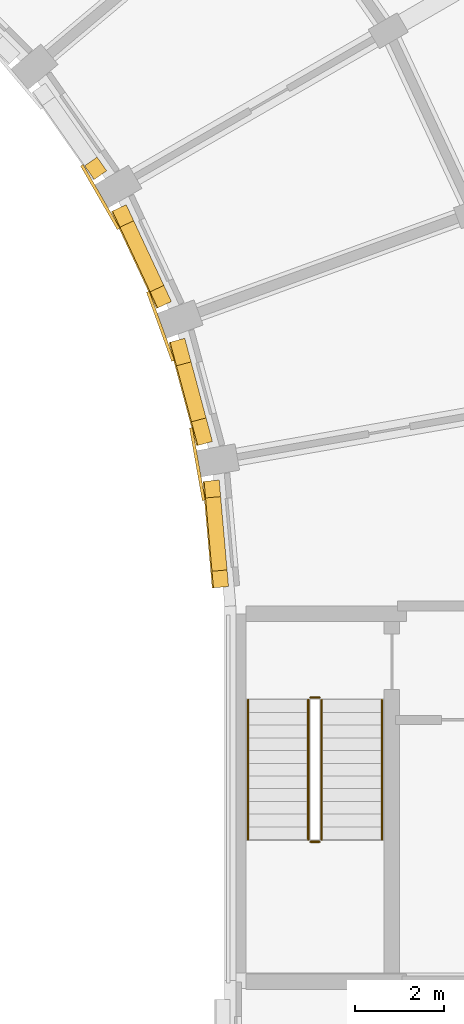
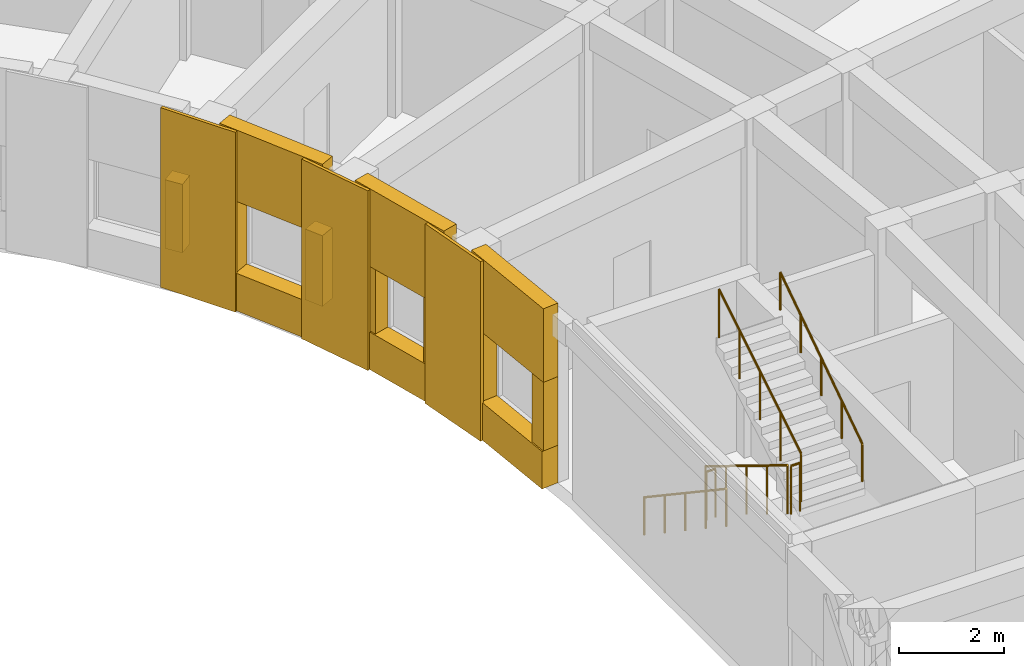
# One storey, part 95 of 97: 16 coverings, 6 railings.
"""IFC4 building model written with IfcOpenShell, lengths in metres."""

from ifc_helpers import new_model, si_unit, direction, frame, origin, origin_2d, place, context, subcontext, project, spatial, polyline, circle, outline, extrude, material, layer, layer_set, type_object, element, save


model = new_model("IFC4")

# Units and contexts
model_context = context("Model", 3, precision=1e-05, world=origin(), true_north=direction((0.0, 1.0)))
body_context = subcontext(model_context, "Body", "Model", "MODEL_VIEW")
ifc_project = project(units=[si_unit("LENGTHUNIT", "METRE"), si_unit("AREAUNIT", "SQUARE_METRE"), si_unit("VOLUMEUNIT", "CUBIC_METRE"), si_unit("PLANEANGLEUNIT", "RADIAN"), si_unit("MASSUNIT", "GRAM", prefix="KILO")], contexts=[model_context])

# Site, building, storey
site_placement = place(None, origin())
site = spatial("IfcSite", under=ifc_project, at=site_placement, CompositionType="ELEMENT")
building_placement = place(site_placement, origin())
building = spatial("IfcBuilding", under=site, at=building_placement, Name="Kiranvali Square Residences", CompositionType="ELEMENT")
storey_placement = place(building_placement, frame((0.0, 0.0, 4.5)))
storey = spatial("IfcBuildingStorey", under=building, at=storey_placement, Name="L01", CompositionType="ELEMENT", Elevation=4.5)

# Coverings
ifc_material_1 = material(Name="Honed Porbandar limestone ashlar facade cladding", Category="masonry")
ifc_layer_1 = layer(ifc_material_1, 0.3798828125)
ifc_layer_set_1 = layer_set([ifc_layer_1], Name="Honed Porbandar limestone ashlar facade cladding")
covering_type_1 = type_object("IfcCoveringType", Name="COV-CLAD-JAMB", PredefinedType="CLADDING", material=ifc_layer_set_1)
covering_1_placement = place(storey_placement, frame((0.0, 0.0, 0.8798828125)))
element("IfcCovering", 1, at=covering_1_placement, inside=storey, type_object=covering_type_1, Name="L01 deep limestone window jamb reveal B-L01-GDN-05.R", PredefinedType="CLADDING", context=body_context, shape_type="SweptSolid", body=[
    extrude(outline(polyline([(135.336181640625, 97.67138671875), (135.55029296875, 97.365478515625), (135.828369140625, 97.56005859375), (135.6142578125, 97.8662109375), (135.336181640625, 97.67138671875)])), origin(), (0.0, 0.0, 1.0), 1.60009765625),
])
covering_2_placement = place(storey_placement, frame((0.0, 0.0, 0.8798828125)))
element("IfcCovering", 2, at=covering_2_placement, inside=storey, type_object=covering_type_1, Name="L01 deep limestone window jamb reveal B-L01-GDN-06.L", PredefinedType="CLADDING", context=body_context, shape_type="SweptSolid", body=[
    extrude(outline(polyline([(135.958984375, 96.657470703125), (136.12744140625, 96.29638671875), (136.435302734375, 96.43994140625), (136.266845703125, 96.801025390625), (135.958984375, 96.657470703125)])), origin(), (0.0, 0.0, 1.0), 1.650146484375),
])
covering_3_placement = place(storey_placement, frame((0.0, 0.0, 0.8798828125)))
element("IfcCovering", 3, at=covering_3_placement, inside=storey, type_object=covering_type_1, Name="L01 deep limestone window jamb reveal B-L01-GDN-06.R", PredefinedType="CLADDING", context=body_context, shape_type="SweptSolid", body=[
    extrude(outline(polyline([(136.8037109375, 94.84619140625), (136.97216796875, 94.485107421875), (137.27978515625, 94.62841796875), (137.111328125, 94.98974609375), (136.8037109375, 94.84619140625)])), origin(), (0.0, 0.0, 1.0), 1.650146484375),
])
covering_4_placement = place(storey_placement, frame((0.0, 0.0, 0.8798828125)))
element("IfcCovering", 4, at=covering_4_placement, inside=storey, type_object=covering_type_1, Name="L01 deep limestone window jamb reveal B-L01-GDN-07.L", PredefinedType="CLADDING", context=body_context, shape_type="SweptSolid", body=[
    extrude(outline(polyline([(137.251708984375, 93.717041015625), (137.3935546875, 93.187255859375), (137.7216796875, 93.27490234375), (137.57958984375, 93.804931640625), (137.251708984375, 93.717041015625)])), origin(), (0.0, 0.0, 1.0), 1.5),
])
covering_5_placement = place(storey_placement, frame((0.0, 0.0, 0.8798828125)))
element("IfcCovering", 5, at=covering_5_placement, inside=storey, type_object=covering_type_1, Name="L01 deep limestone window jamb reveal B-L01-GDN-07.R", PredefinedType="CLADDING", context=body_context, shape_type="SweptSolid", body=[
    extrude(outline(polyline([(137.730224609375, 91.931396484375), (137.8720703125, 91.401611328125), (138.199951171875, 91.489501953125), (138.05810546875, 92.019287109375), (137.730224609375, 91.931396484375)])), origin(), (0.0, 0.0, 1.0), 1.5),
])
covering_6_placement = place(storey_placement, frame((0.0, 0.0, 0.8798828125)))
element("IfcCovering", 6, at=covering_6_placement, inside=storey, type_object=covering_type_1, Name="L01 deep limestone window jamb reveal B-L01-GDN-08.L", PredefinedType="CLADDING", context=body_context, shape_type="SweptSolid", body=[
    extrude(outline(polyline([(138.013916015625, 90.5966796875), (138.046630859375, 90.224609375), (138.384765625, 90.254150390625), (138.352294921875, 90.626220703125), (138.013916015625, 90.5966796875)])), origin(), (0.0, 0.0, 1.0), 1.60009765625),
])
covering_7_placement = place(storey_placement, frame((0.0, 0.0, 0.8798828125)))
element("IfcCovering", 7, at=covering_7_placement, inside=storey, type_object=covering_type_1, Name="L01 deep limestone window jamb reveal B-L01-GDN-08.R", PredefinedType="CLADDING", context=body_context, shape_type="SweptSolid", body=[
    extrude(outline(polyline([(138.1904296875, 88.580810546875), (138.222900390625, 88.208740234375), (138.56103515625, 88.23828125), (138.528564453125, 88.6103515625), (138.1904296875, 88.580810546875)])), origin(), (0.0, 0.0, 1.0), 1.60009765625),
])
ifc_layer_2 = layer(ifc_material_1, 0.050048828125)
ifc_layer_set_2 = layer_set([ifc_layer_2], Name="Honed Porbandar limestone ashlar facade cladding")
covering_type_2 = type_object("IfcCoveringType", Name="COV-CLAD-PIER-IN", PredefinedType="CLADDING", material=ifc_layer_set_2)
covering_8_placement = place(storey_placement, frame((0.0, 0.0, 0.0048828125)))
element("IfcCovering", 8, at=covering_8_placement, inside=storey, type_object=covering_type_2, Name="L01 Classical garden courtyard pilaster CLAD-PRIN-B-L01-A06", PredefinedType="CLADDING", context=body_context, shape_type="SweptSolid", body=[
    extrude(outline(polyline([(135.241943359375, 97.66796875), (136.06689453125, 96.239013671875), (136.125244140625, 96.272705078125), (135.30029296875, 97.70166015625), (135.241943359375, 97.66796875)])), origin(), (0.0, 0.0, 1.0), 4.190185546875),
])
covering_9_placement = place(storey_placement, frame((0.0, 0.0, 0.0048828125)))
element("IfcCovering", 9, at=covering_9_placement, inside=storey, type_object=covering_type_2, Name="L01 Classical garden courtyard pilaster CLAD-PRIN-B-L01-A07", PredefinedType="CLADDING", context=body_context, shape_type="SweptSolid", body=[
    extrude(outline(polyline([(136.720703125, 94.836669921875), (137.28515625, 93.2861328125), (137.3486328125, 93.30908203125), (136.7841796875, 94.859619140625), (136.720703125, 94.836669921875)])), origin(), (0.0, 0.0, 1.0), 4.190185546875),
])
covering_10_placement = place(storey_placement, frame((0.0, 0.0, 0.0048828125)))
element("IfcCovering", 10, at=covering_10_placement, inside=storey, type_object=covering_type_2, Name="L01 Classical garden courtyard pilaster CLAD-PRIN-B-L01-A08", PredefinedType="CLADDING", context=body_context, shape_type="SweptSolid", body=[
    extrude(outline(polyline([(137.685546875, 91.79150390625), (137.97216796875, 90.16650390625), (138.03857421875, 90.17822265625), (137.752197265625, 91.80322265625), (137.685546875, 91.79150390625)])), origin(), (0.0, 0.0, 1.0), 4.190185546875),
])
ifc_layer_3 = layer(ifc_material_1, 0.360107421875)
ifc_layer_set_3 = layer_set([ifc_layer_3], Name="Honed Porbandar limestone ashlar facade cladding")
covering_type_3 = type_object("IfcCoveringType", Name="COV-CLAD-WALL", PredefinedType="CLADDING", material=ifc_layer_set_3)
covering_11_placement = place(storey_placement, frame((0.0, 0.0, 2.530029296875)))
element("IfcCovering", 11, at=covering_11_placement, inside=storey, type_object=covering_type_3, Name="L01 light limestone spandrel lintel B-L01-GDN-06", PredefinedType="CLADDING", context=body_context, shape_type="SweptSolid", body=[
    extrude(outline(polyline([(135.958984375, 96.657470703125), (136.97216796875, 94.485107421875), (137.27978515625, 94.62841796875), (136.266845703125, 96.801025390625), (135.958984375, 96.657470703125)])), origin(), (0.0, 0.0, 1.0), 1.6650390625),
])
covering_12_placement = place(storey_placement, frame((0.0, 0.0, 2.3798828125)))
element("IfcCovering", 12, at=covering_12_placement, inside=storey, type_object=covering_type_3, Name="L01 light limestone spandrel lintel B-L01-GDN-07", PredefinedType="CLADDING", context=body_context, shape_type="SweptSolid", body=[
    extrude(outline(polyline([(137.251708984375, 93.717041015625), (137.8720703125, 91.401611328125), (138.199951171875, 91.489501953125), (137.57958984375, 93.804931640625), (137.251708984375, 93.717041015625)])), origin(), (0.0, 0.0, 1.0), 1.815185546875),
])
covering_13_placement = place(storey_placement, frame((0.0, 0.0, 2.47998046875)))
element("IfcCovering", 13, at=covering_13_placement, inside=storey, type_object=covering_type_3, Name="L01 light limestone spandrel lintel B-L01-GDN-08", PredefinedType="CLADDING", context=body_context, shape_type="SweptSolid", body=[
    extrude(outline(polyline([(138.013916015625, 90.5966796875), (138.222900390625, 88.208740234375), (138.56103515625, 88.23828125), (138.352294921875, 90.626220703125), (138.013916015625, 90.5966796875)])), origin(), (0.0, 0.0, 1.0), 1.715087890625),
])
ifc_layer_4 = layer(ifc_material_1, 0.2900390625)
ifc_layer_set_4 = layer_set([ifc_layer_4], Name="Honed Porbandar limestone ashlar facade cladding")
covering_type_4 = type_object("IfcCoveringType", Name="COV-CLAD-WALL-IN", PredefinedType="CLADDING", material=ifc_layer_set_4)
covering_14_placement = place(storey_placement, frame((0.0, 0.0, 0.0048828125)))
element("IfcCovering", 14, at=covering_14_placement, inside=storey, type_object=covering_type_4, Name="L01 limestone window sill apron B-L01-GDN-06", PredefinedType="CLADDING", context=body_context, shape_type="SweptSolid", body=[
    extrude(outline(polyline([(135.931884765625, 96.644775390625), (136.94482421875, 94.472412109375), (137.27978515625, 94.62841796875), (136.266845703125, 96.801025390625), (135.931884765625, 96.644775390625)])), origin(), (0.0, 0.0, 1.0), 0.875),
])
covering_15_placement = place(storey_placement, frame((0.0, 0.0, 0.0048828125)))
element("IfcCovering", 15, at=covering_15_placement, inside=storey, type_object=covering_type_4, Name="L01 limestone window sill apron B-L01-GDN-07", PredefinedType="CLADDING", context=body_context, shape_type="SweptSolid", body=[
    extrude(outline(polyline([(137.22265625, 93.709228515625), (137.843017578125, 91.393798828125), (138.199951171875, 91.489501953125), (137.57958984375, 93.804931640625), (137.22265625, 93.709228515625)])), origin(), (0.0, 0.0, 1.0), 0.875),
])
covering_16_placement = place(storey_placement, frame((0.0, 0.0, 0.0048828125)))
element("IfcCovering", 16, at=covering_16_placement, inside=storey, type_object=covering_type_4, Name="L01 limestone window sill apron B-L01-GDN-08", PredefinedType="CLADDING", context=body_context, shape_type="SweptSolid", body=[
    extrude(outline(polyline([(137.984130859375, 90.593994140625), (138.193115234375, 88.2060546875), (138.56103515625, 88.23828125), (138.352294921875, 90.626220703125), (137.984130859375, 90.593994140625)])), origin(), (0.0, 0.0, 1.0), 0.875),
])

# Railings
ifc_material_2 = material(Name="Brushed stainless steel tubular handrail", Category="steel")
railing_type_1 = type_object("IfcRailingType", Name="RL-HANDRAIL-900", PredefinedType="HANDRAIL", material=ifc_material_2)
railing_1_placement = place(storey_placement, frame((139.0, 85.699951171875, 0.175048828125)))
element("IfcRailing", 17, at=railing_1_placement, inside=storey, type_object=railing_type_1, Name="L01 ST-B3 stair handrail 1", PredefinedType="HANDRAIL", context=body_context, shape_type="SweptSolid", body=[
    extrude(circle(Radius=0.02392578125, at=origin_2d()), frame((0.0, 0.0, 0.8759765625), z_axis=(0.0, -0.830843872262, 0.556505579419), x_axis=(1.0, 0.0, 0.0)), (0.0, 0.0, 1.0), 3.773193359375),
    extrude(circle(Radius=0.02099609375, at=origin_2d()), origin(), (0.0, 0.0, 1.0), 0.851806640625),
    extrude(circle(Radius=0.02099609375, at=origin_2d()), frame((0.0, -0.78369140625, 0.52490234375)), (0.0, 0.0, 1.0), 0.851806640625),
    extrude(circle(Radius=0.02099609375, at=origin_2d()), frame((0.0, -1.5673828125, 1.0498046875)), (0.0, 0.0, 1.0), 0.851806640625),
    extrude(circle(Radius=0.02099609375, at=origin_2d()), frame((0.0, -2.351318359375, 1.574951171875)), (0.0, 0.0, 1.0), 0.851806640625),
    extrude(circle(Radius=0.02099609375, at=origin_2d()), frame((0.0, -3.135009765625, 2.099853515625)), (0.0, 0.0, 1.0), 0.851806640625),
])
railing_2_placement = place(storey_placement, frame((142.0, 82.56494140625, 2.27490234375)))
element("IfcRailing", 18, at=railing_2_placement, inside=storey, type_object=railing_type_1, Name="L01 ST-B3 stair handrail 2", PredefinedType="HANDRAIL", context=body_context, shape_type="SweptSolid", body=[
    extrude(circle(Radius=0.02392578125, at=origin_2d()), frame((0.0, 0.0, 0.8759765625), z_axis=(0.0, 0.830813955726, 0.556550241192), x_axis=(-1.0, 0.0, 0.0)), (0.0, 0.0, 1.0), 3.7734375),
    extrude(circle(Radius=0.02099609375, at=origin_2d()), origin(), (0.0, 0.0, 1.0), 0.851806640625),
    extrude(circle(Radius=0.02099609375, at=origin_2d()), frame((0.0, 0.78369140625, 0.52490234375)), (0.0, 0.0, 1.0), 0.851806640625),
    extrude(circle(Radius=0.02099609375, at=origin_2d()), frame((0.0, 1.5673828125, 1.050048828125)), (0.0, 0.0, 1.0), 0.851806640625),
    extrude(circle(Radius=0.02099609375, at=origin_2d()), frame((0.0, 2.351318359375, 1.5751953125)), (0.0, 0.0, 1.0), 0.851806640625),
    extrude(circle(Radius=0.02099609375, at=origin_2d()), frame((0.0, 3.135009765625, 2.10009765625)), (0.0, 0.0, 1.0), 0.851806640625),
])
ifc_material_3 = material(Name="Powder-coated architectural bronze balustrade", Category="steel")
railing_type_2 = type_object("IfcRailingType", Name="RL-ST-GUARD-1200", PredefinedType="GUARDRAIL", material=ifc_material_3)
railing_3_placement = place(storey_placement, frame((140.35009765625, 85.699951171875, 0.175048828125)))
element("IfcRailing", 19, at=railing_3_placement, inside=storey, type_object=railing_type_2, Name="L01 ST-B3 stair guard 1", PredefinedType="GUARDRAIL", context=body_context, shape_type="SweptSolid", body=[
    extrude(circle(Radius=0.02392578125, at=origin_2d()), frame((0.0, 0.0, 1.1259765625), z_axis=(0.0, -0.852166034122, 0.523271488128), x_axis=(1.0, 0.0, 0.0)), (0.0, 0.0, 1.0), 3.678955078125),
    extrude(circle(Radius=0.02099609375, at=origin_2d()), origin(), (0.0, 0.0, 1.0), 1.101806640625),
    extrude(circle(Radius=0.02099609375, at=origin_2d()), frame((0.0, -0.78369140625, 0.481201171875)), (0.0, 0.0, 1.0), 1.101806640625),
    extrude(circle(Radius=0.02099609375, at=origin_2d()), frame((0.0, -1.5673828125, 0.96240234375)), (0.0, 0.0, 1.0), 1.101806640625),
    extrude(circle(Radius=0.02099609375, at=origin_2d()), frame((0.0, -2.351318359375, 1.44384765625)), (0.0, 0.0, 1.0), 1.101806640625),
    extrude(circle(Radius=0.02099609375, at=origin_2d()), frame((0.0, -3.135009765625, 1.925048828125)), (0.0, 0.0, 1.0), 1.101806640625),
])
railing_4_placement = place(storey_placement, frame((140.39990234375, 82.514892578125, 2.10009765625)))
element("IfcRailing", 20, at=railing_4_placement, inside=storey, type_object=railing_type_2, Name="L01 ST-B3 stair guard 2", PredefinedType="GUARDRAIL", context=body_context, shape_type="SweptSolid", body=[
    extrude(circle(Radius=0.02392578125, at=origin_2d()), frame((0.0, 0.0, 1.1259765625), z_axis=(1.0, 0.0, 0.0), x_axis=(0.0, 1.0, 0.0)), (0.0, 0.0, 1.0), 0.2001953125),
    extrude(circle(Radius=0.02099609375, at=origin_2d()), origin(), (0.0, 0.0, 1.0), 1.101806640625),
    extrude(circle(Radius=0.02099609375, at=origin_2d()), frame((0.2001953125, 0.0, 0.0)), (0.0, 0.0, 1.0), 1.101806640625),
])
railing_5_placement = place(storey_placement, frame((140.64990234375, 82.56494140625, 2.27490234375)))
element("IfcRailing", 21, at=railing_5_placement, inside=storey, type_object=railing_type_2, Name="L01 ST-B3 stair guard 3", PredefinedType="GUARDRAIL", context=body_context, shape_type="SweptSolid", body=[
    extrude(circle(Radius=0.02392578125, at=origin_2d()), frame((0.0, 0.0, 1.1259765625), z_axis=(0.0, 0.852166034122, 0.523271488128), x_axis=(-1.0, 0.0, 0.0)), (0.0, 0.0, 1.0), 3.678955078125),
    extrude(circle(Radius=0.02099609375, at=origin_2d()), origin(), (0.0, 0.0, 1.0), 1.101806640625),
    extrude(circle(Radius=0.02099609375, at=origin_2d()), frame((0.0, 0.78369140625, 0.481201171875)), (0.0, 0.0, 1.0), 1.101806640625),
    extrude(circle(Radius=0.02099609375, at=origin_2d()), frame((0.0, 1.5673828125, 0.96240234375)), (0.0, 0.0, 1.0), 1.101806640625),
    extrude(circle(Radius=0.02099609375, at=origin_2d()), frame((0.0, 2.351318359375, 1.44384765625)), (0.0, 0.0, 1.0), 1.101806640625),
    extrude(circle(Radius=0.02099609375, at=origin_2d()), frame((0.0, 3.135009765625, 1.925048828125)), (0.0, 0.0, 1.0), 1.101806640625),
])
railing_6_placement = place(storey_placement, frame((140.39990234375, 85.75, 0.0)))
element("IfcRailing", 22, at=railing_6_placement, inside=storey, type_object=railing_type_2, Name="L01 ST-B3 stair guard 4", PredefinedType="GUARDRAIL", context=body_context, shape_type="SweptSolid", body=[
    extrude(circle(Radius=0.02392578125, at=origin_2d()), frame((0.0, 0.0, 1.1259765625), z_axis=(1.0, 0.0, 0.0), x_axis=(0.0, 1.0, 0.0)), (0.0, 0.0, 1.0), 0.2001953125),
    extrude(circle(Radius=0.02099609375, at=origin_2d()), origin(), (0.0, 0.0, 1.0), 1.101806640625),
    extrude(circle(Radius=0.02099609375, at=origin_2d()), frame((0.2001953125, 0.0, 0.0)), (0.0, 0.0, 1.0), 1.101806640625),
])

save(model, "model.ifc")
